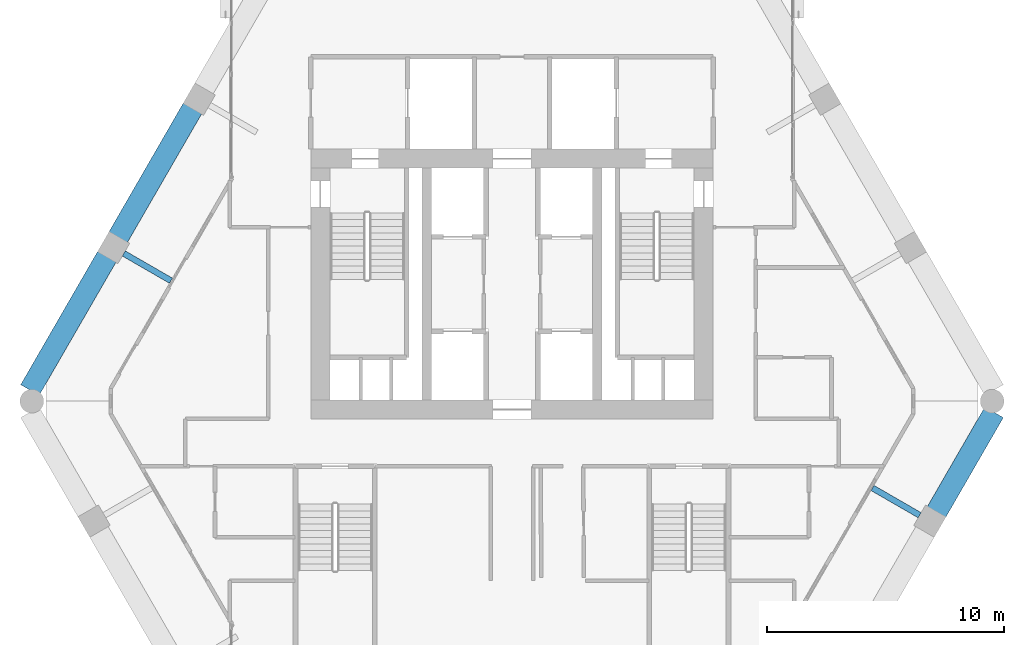
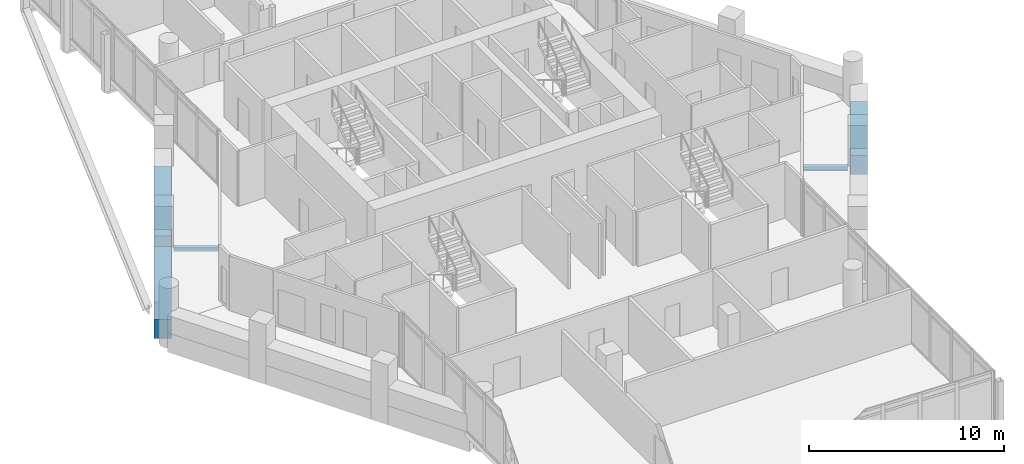
# One storey, part 15 of 38: 5 beams.
"""IFC4 building model written with IfcOpenShell, lengths in metres."""

import ifcopenshell
import ifcopenshell.guid

model = None  # the IFC model being written
_history = None  # IfcOwnerHistory: only IFC2X3 demands one
_inside = {}  # id of a spatial element -> (the spatial element, [elements in it])
_under = {}  # id of a project, library or spatial element -> (it, [spatial elements below it])
_declared = {}  # id of a project -> (the project, [libraries it declares])
_typed = {}  # id of a type object -> (the type object, [elements of that type])
_made_of = {}  # id of a material, layer set ... -> (it, [elements and type objects made of it])


def new_model(schema):
    """Start an empty IFC model of exactly this schema.

    Asked for "IFC4X3", IfcOpenShell would pick the latest addendum, in which some entities
    have other attributes; the version numbers below select the first issue.
    IFC2X3 requires an IfcOwnerHistory on every rooted entity: one is made here for all.
    """
    global model, _history
    if schema == "IFC4X3":
        model = ifcopenshell.file(schema_version=(4, 3, 0, 0))
    else:
        model = ifcopenshell.file(schema=schema)
    _inside.clear()
    _under.clear()
    _declared.clear()
    _typed.clear()
    _made_of.clear()
    _history = None
    if model.schema == "IFC2X3":
        org = make("IfcOrganization", Name="unknown")
        user = make(
            "IfcPersonAndOrganization",
            ThePerson=make("IfcPerson", FamilyName="unknown"),
            TheOrganization=org,
        )
        app = make(
            "IfcApplication",
            ApplicationDeveloper=org,
            Version="unknown",
            ApplicationFullName="unknown",
            ApplicationIdentifier="unknown",
        )
        _history = make(
            "IfcOwnerHistory",
            OwningUser=user,
            OwningApplication=app,
            ChangeAction="ADDED",
            CreationDate=0,
        )
    return model


def make(cls, **values):
    """One entity of the class cls with the attributes given. An attribute that is None is left unset."""
    return model.create_entity(
        cls, **{name: value for name, value in values.items() if value is not None}
    )


def rooted(cls, **values):
    """An entity with a GlobalId (a new one), such as an element, a storey or a relation."""
    return make(cls, GlobalId=ifcopenshell.guid.new(), OwnerHistory=_history, **values)


def si_unit(unit_type, name, prefix=None):
    """IfcSIUnit, for example si_unit("LENGTHUNIT", "METRE", prefix="MILLI")."""
    return make("IfcSIUnit", UnitType=unit_type, Prefix=prefix, Name=name)


def assignment(units):
    """IfcUnitAssignment: the units of a project."""
    return None if units is None else make("IfcUnitAssignment", Units=units)


def point(xyz):
    """IfcCartesianPoint."""
    return None if xyz is None else make("IfcCartesianPoint", Coordinates=xyz)


def direction(xyz):
    """IfcDirection."""
    return None if xyz is None else make("IfcDirection", DirectionRatios=xyz)


def frame(location, z_axis=None, x_axis=None):
    """IfcAxis2Placement3D, a coordinate frame: its origin and axes. An axis left out is left unset."""
    return make(
        "IfcAxis2Placement3D",
        Location=point(location),
        Axis=direction(z_axis),
        RefDirection=direction(x_axis),
    )


def frame_2d(location, x_axis=None):
    """IfcAxis2Placement2D, a coordinate frame in the plane: its origin and x axis."""
    return make(
        "IfcAxis2Placement2D", Location=point(location), RefDirection=direction(x_axis)
    )


def origin():
    """The frame at (0, 0, 0) with its axes left unset."""
    return frame((0.0, 0.0, 0.0))


def origin_2d():
    """The frame at (0, 0) in the plane with its x axis left unset."""
    return frame_2d((0.0, 0.0))


def place(relative_to, where):
    """IfcLocalPlacement: puts the frame where relative to a parent placement (None: the world)."""
    return make(
        "IfcLocalPlacement", PlacementRelTo=relative_to, RelativePlacement=where
    )


def context(
    kind, dimensions, precision=None, world=None, true_north=None, identifier=None
):
    """IfcGeometricRepresentationContext, for example the 3D "Model" context."""
    return make(
        "IfcGeometricRepresentationContext",
        ContextIdentifier=identifier,
        ContextType=kind,
        CoordinateSpaceDimension=dimensions,
        Precision=precision,
        WorldCoordinateSystem=world,
        TrueNorth=true_north,
    )


def subcontext(parent, identifier, kind, view, scale=None):
    """IfcGeometricRepresentationSubContext, for example "Body" below "Model"."""
    return make(
        "IfcGeometricRepresentationSubContext",
        ContextIdentifier=identifier,
        ContextType=kind,
        ParentContext=parent,
        TargetScale=scale,
        TargetView=view,
    )


def project(units=None, contexts=None):
    """IfcProject with its units and contexts."""
    return rooted(
        "IfcProject",
        Name="project",
        RepresentationContexts=contexts,
        UnitsInContext=assignment(units),
    )


def spatial(cls, under=None, at=None, **own):
    """A site, building, storey or space (cls), placed at a placement, below another one or the project."""
    s = rooted(cls, ObjectPlacement=at, **own)
    if under is not None:
        _under.setdefault(under.id(), (under, []))[1].append(s)
    return s


def profile(cls, at=None, kind="AREA", **sizes):
    """A parametric profile (cls). Its sizes go by their IFC names, for example OverallWidth=200.0."""
    return make(cls, ProfileType=kind, Position=at, **sizes)


def rectangle(**sizes):
    """IfcRectangleProfileDef."""
    return profile("IfcRectangleProfileDef", **sizes)


def i_section(**sizes):
    """IfcIShapeProfileDef."""
    return profile("IfcIShapeProfileDef", **sizes)


def extrude(swept, where, along, depth):
    """IfcExtrudedAreaSolid: the profile swept, set in the frame where, extruded along a direction by depth."""
    return make(
        "IfcExtrudedAreaSolid",
        SweptArea=swept,
        Position=where,
        ExtrudedDirection=direction(along),
        Depth=depth,
    )


def shape(context_of_items, identifier, shape_type, items):
    """IfcShapeRepresentation: the items that make up one representation, for example the "Body"."""
    return make(
        "IfcShapeRepresentation",
        ContextOfItems=context_of_items,
        RepresentationIdentifier=identifier,
        RepresentationType=shape_type,
        Items=items,
    )


def material(Name=None, Category=None):
    """IfcMaterial."""
    return make("IfcMaterial", Name=Name, Category=Category)


def material_profile(
    of_material, cross_section, Name=None, Category=None, Priority=None
):
    """IfcMaterialProfile: a cross section and its material."""
    return make(
        "IfcMaterialProfile",
        Name=Name,
        Material=of_material,
        Profile=cross_section,
        Priority=Priority,
        Category=Category,
    )


def profile_set(profiles, Name=None, composite=None):
    """IfcMaterialProfileSet."""
    return make(
        "IfcMaterialProfileSet",
        Name=Name,
        MaterialProfiles=profiles,
        CompositeProfile=composite,
    )


def made_of(thing, what):
    """Note that an element or type object is made of a material, layer set ...; save() writes the relation."""
    if what is not None:
        _made_of.setdefault(what.id(), (what, []))[1].append(thing)
    return thing


def type_object(cls, material=None, **own):
    """A type object (cls), such as IfcWallType, which elements share."""
    return made_of(rooted(cls, **own), material)


def element(
    cls,
    number,
    at=None,
    inside=None,
    cuts=None,
    type_object=None,
    material=None,
    context=None,
    identifier="Body",
    shape_type=None,
    held_by="IfcProductDefinitionShape",
    body=None,
    shapes=None,
    **own,
):
    """One element of the class cls, such as IfcWall. Its Tag is "e" and its number.

    at: its placement. inside: the storey or other place that contains it. cuts: it is an
    opening in that element (IfcRelVoidsElement). A single representation is given by context,
    identifier, shape_type and body (its items); several are given by shapes. held_by: the class
    of the entity that holds the representations. save() writes the other relations.
    """
    e = rooted(cls, Tag="e%d" % number, ObjectPlacement=at, **own)
    if body is not None:
        shapes = [shape(context, identifier, shape_type, body)]
    if shapes is not None:
        e.Representation = make(held_by, Representations=shapes)
    if inside is not None:
        _inside.setdefault(inside.id(), (inside, []))[1].append(e)
    if cuts is not None:
        rooted(
            "IfcRelVoidsElement", RelatingBuildingElement=cuts, RelatedOpeningElement=e
        )
    if type_object is not None:
        _typed.setdefault(type_object.id(), (type_object, []))[1].append(e)
    return made_of(e, material)


def aggregate(whole, parts):
    """IfcRelAggregates: a whole, such as a stair, and the parts it consists of."""
    return rooted("IfcRelAggregates", RelatingObject=whole, RelatedObjects=parts)


def save(model, path):
    """Write the relations noted so far, then the file.

    IfcRelAggregates (storeys below a building ...), IfcRelContainedInSpatialStructure (elements
    in a storey), IfcRelDefinesByType, IfcRelAssociatesMaterial and IfcRelDeclares: one each for
    every whole, place, type object, material and project.
    """
    for whole, parts in _under.values():
        aggregate(whole, parts)
    for where, things in _inside.values():
        rooted(
            "IfcRelContainedInSpatialStructure",
            RelatedElements=things,
            RelatingStructure=where,
        )
    for kind, things in _typed.values():
        rooted("IfcRelDefinesByType", RelatedObjects=things, RelatingType=kind)
    for what, things in _made_of.values():
        rooted("IfcRelAssociatesMaterial", RelatedObjects=things, RelatingMaterial=what)
    for by, libraries in _declared.values():
        rooted("IfcRelDeclares", RelatingContext=by, RelatedDefinitions=libraries)
    model.write(path)


model = new_model("IFC4")

# Units and contexts
model_context = context("Model", 3, precision=1e-05, world=origin(), true_north=direction((0.0, 1.0)))
body_context = subcontext(model_context, "Body", "Model", "MODEL_VIEW")
ifc_project = project(units=[si_unit("LENGTHUNIT", "METRE"), si_unit("AREAUNIT", "SQUARE_METRE"), si_unit("VOLUMEUNIT", "CUBIC_METRE"), si_unit("PLANEANGLEUNIT", "RADIAN"), si_unit("MASSUNIT", "GRAM", prefix="KILO")], contexts=[model_context])

# Site, building, storey
site_placement = place(None, origin())
site = spatial("IfcSite", under=ifc_project, at=site_placement, CompositionType="ELEMENT")
building_placement = place(site_placement, origin())
building = spatial("IfcBuilding", under=site, at=building_placement, Name="Ostrander Bayou Hotel Tower", CompositionType="ELEMENT")
storey_placement = place(building_placement, frame((0.0, 0.0, 194.5)))
storey = spatial("IfcBuildingStorey", under=building, at=storey_placement, Name="L48", CompositionType="ELEMENT", Elevation=194.5)

# Beams
ifc_material_1 = material(Name="Steel ASTM A992", Category="steel")
ifc_material_profile_1 = material_profile(ifc_material_1, i_section(OverallWidth=0.25390625, OverallDepth=0.25341796875, WebThickness=0.008544921875, FlangeThickness=0.01416015625, at=origin_2d()))
ifc_profile_set_1 = profile_set([ifc_material_profile_1], Name="Steel ASTM A992")
beam_type_1 = type_object("IfcBeamType", Name="LB2 loggia bracket W10x49", PredefinedType="BEAM", material=ifc_profile_set_1)
for number, where, z_axis, x_axis, name in (
    (1, (-16.40234375, 5.2919921875, -0.4267578125), (0.866053019151, -0.499952165731, 0.0), (0.499952165731, 0.866053019151, 0.0), "LB2 L48 NW2"),
    (2, (17.224365234375, -5.7666015625, -0.4267578125), (-0.866053019151, 0.499952165731, 0.0), (-0.499952165731, -0.866053019151, 0.0), "LB2 L48 SE2"),
):
    element("IfcBeam", number, at=place(storey_placement, frame(where, z_axis=z_axis, x_axis=x_axis)), inside=storey, type_object=beam_type_1, Name=name, PredefinedType="BEAM", context=body_context, shape_type="SweptSolid", body=[
        extrude(i_section(OverallWidth=0.25390625, OverallDepth=0.25341796875, WebThickness=0.008544921875, FlangeThickness=0.01416015625, at=origin_2d()), origin(), (0.0, 0.0, 1.0), 2.300048828125),
    ])
ifc_material_2 = material(Name="Concrete f'c 60 MPa", Category="concrete")
ifc_material_profile_2 = material_profile(ifc_material_2, rectangle(XDim=0.89990234375, YDim=1.199951171875, at=origin_2d()))
ifc_profile_set_2 = profile_set([ifc_material_profile_2], Name="Concrete f'c 60 MPa")
beam_type_2 = type_object("IfcBeamType", Name="SP3 spandrel beam 900 x 1200 mm f'c 60 MPa", PredefinedType="SPANDREL", material=ifc_profile_set_2)
beam_1_placement = place(storey_placement, frame((-13.49560546875, 11.4267578125, -0.60009765625), z_axis=(-0.499984268907, -0.866034485945, 0.0), x_axis=(0.866034485945, -0.499984268907, 0.0)))
element("IfcBeam", 3, at=beam_1_placement, inside=storey, type_object=beam_type_2, Name="SP3 L48 NW-2", PredefinedType="SPANDREL", context=body_context, shape_type="SweptSolid", body=[
    extrude(rectangle(XDim=0.89990234375, YDim=1.199951171875, at=origin_2d()), origin(), (0.0, 0.0, 1.0), 6.296142578125),
])
beam_2_placement = place(storey_placement, frame((-17.113525390625, 5.159912109375, -0.60009765625), z_axis=(-0.500022104698, -0.866012641255, 0.0), x_axis=(0.866012641255, -0.500022104698, 0.0)))
element("IfcBeam", 4, at=beam_2_placement, inside=storey, type_object=beam_type_2, Name="SP3 L48 NW-3", PredefinedType="SPANDREL", context=body_context, shape_type="SweptSolid", body=[
    extrude(rectangle(XDim=0.89990234375, YDim=1.199951171875, at=origin_2d()), origin(), (0.0, 0.0, 1.0), 6.511962890625),
])
beam_3_placement = place(storey_placement, frame((17.935546875, -5.634521484375, -0.60009765625), z_axis=(0.500033586455, 0.866006011767, 0.0), x_axis=(-0.866006011767, 0.500033586455, 0.0)))
element("IfcBeam", 5, at=beam_3_placement, inside=storey, type_object=beam_type_2, Name="SP3 L48 SE-3", PredefinedType="SPANDREL", context=body_context, shape_type="SweptSolid", body=[
    extrude(rectangle(XDim=0.89990234375, YDim=1.199951171875, at=origin_2d()), origin(), (0.0, 0.0, 1.0), 4.867919921875),
])

save(model, "model.ifc")
